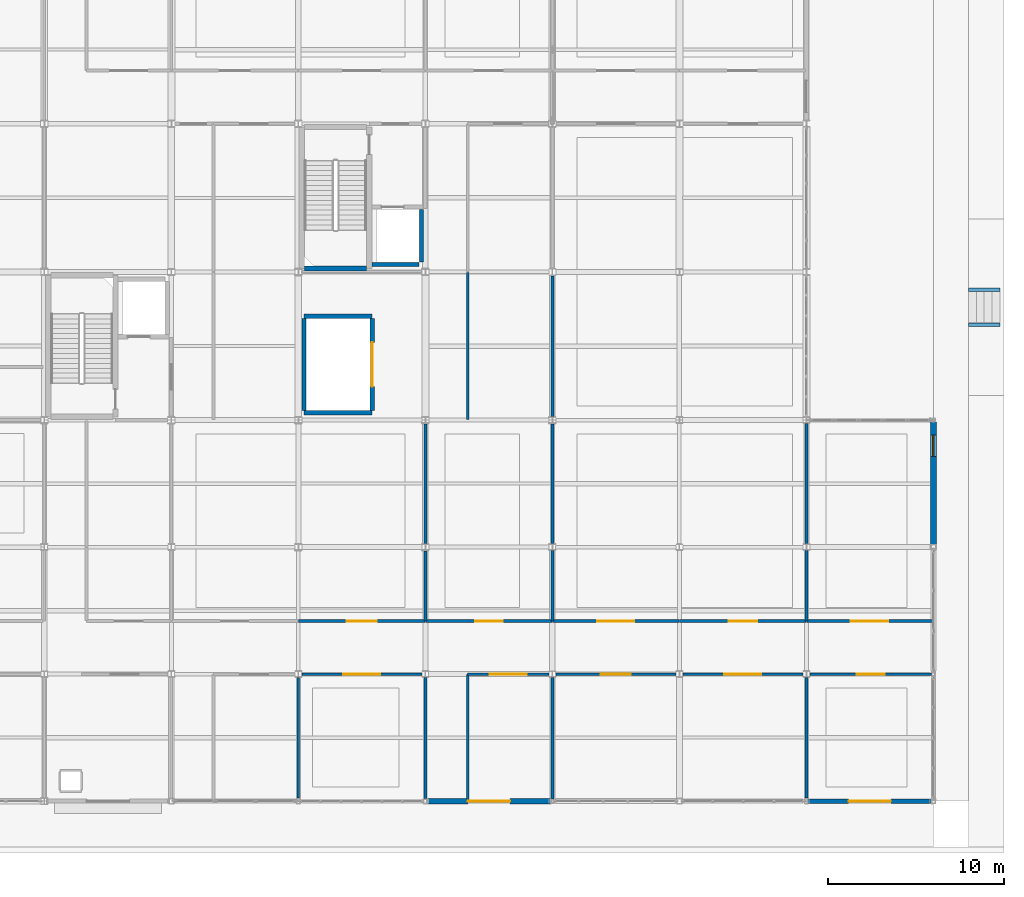
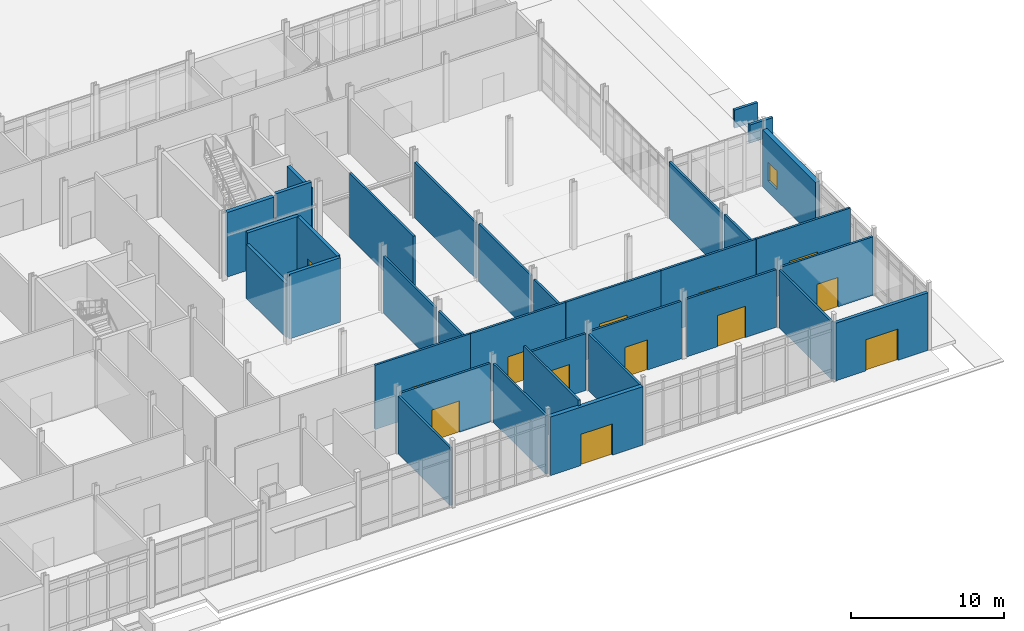
# One storey, part 199 of 229: 35 walls, 13 doors, 1 window, 14 openings.
"""IFC4 building model written with IfcOpenShell, lengths in metres."""

from ifc_helpers import new_model, si_unit, direction, frame, frame_2d, origin, place, context, subcontext, project, spatial, rectangle, extrude, material, layer, layer_set, type_object, element, fill, save


model = new_model("IFC4")

# Units and contexts
model_context = context("Model", 3, precision=1e-05, world=origin(), true_north=direction((0.0, 1.0)))
body_context = subcontext(model_context, "Body", "Model", "MODEL_VIEW")
ifc_project = project(units=[si_unit("LENGTHUNIT", "METRE"), si_unit("AREAUNIT", "SQUARE_METRE"), si_unit("VOLUMEUNIT", "CUBIC_METRE"), si_unit("PLANEANGLEUNIT", "RADIAN"), si_unit("MASSUNIT", "GRAM", prefix="KILO")], contexts=[model_context])

# Site, building, storey
site_placement = place(None, origin())
site = spatial("IfcSite", under=ifc_project, at=site_placement, CompositionType="ELEMENT")
building_placement = place(site_placement, origin())
building = spatial("IfcBuilding", under=site, at=building_placement, Name="Calvrana Isthmian Art Gallery", CompositionType="ELEMENT")
storey_placement = place(building_placement, origin())
storey = spatial("IfcBuildingStorey", under=building, at=storey_placement, Name="L00", CompositionType="ELEMENT", Elevation=0.0)

# Wall
ifc_material_1 = material(Name="Concrete C40/50", Category="concrete")
ifc_layer_1 = layer(ifc_material_1, 0.300048828125, Name="Concrete C40/50")
ifc_layer_set_1 = layer_set([ifc_layer_1], Name="Concrete C40/50")
wall_type_1 = type_object("IfcWallType", Name="CW-SHAFT-300", PredefinedType="SHEAR", material=ifc_layer_set_1)
wall_1_placement = place(storey_placement, frame((127.550048828125, 30.18994140625, 0.0), z_axis=(0.0, 0.0, 1.0), x_axis=(1.0, 0.0, 0.0)))
element("IfcWall", 1, at=wall_1_placement, inside=storey, type_object=wall_type_1, Name="Core C4 shear wall S L00", PredefinedType="SHEAR", context=body_context, shape_type="SweptSolid", body=[
    extrude(rectangle(XDim=3.52001953125, YDim=0.300048828125, at=frame_2d((1.760009765625, 0.0))), origin(), (0.0, 0.0, 1.0), 5.159912109375),
])

# Wall, opening, door
ifc_material_2 = material(Name="Pale Isthmian limestone", Category="masonry")
ifc_layer_2 = layer(ifc_material_2, 0.300048828125, Name="Pale Isthmian limestone")
ifc_layer_set_2 = layer_set([ifc_layer_2], Name="Pale Isthmian limestone")
wall_type_2 = type_object("IfcWallType", Name="EW-LIME-300", PredefinedType="SOLIDWALL", material=ifc_layer_set_2)
wall_2_placement = place(storey_placement, frame((141.498291015625, 0.0, 0.0), z_axis=(0.0, 0.0, 1.0), x_axis=(-1.0, 0.0, 0.0)))
wall_2 = element("IfcWall", 2, at=wall_2_placement, inside=storey, type_object=wall_type_2, Name="Exterior wall EW-004", PredefinedType="SOLIDWALL", context=body_context, shape_type="SweptSolid", body=[
    extrude(rectangle(XDim=6.97119140625, YDim=0.300048828125, at=frame_2d((3.485595703125, 0.0))), origin(), (0.0, 0.0, 1.0), 4.677978515625),
])
opening_1_placement = place(wall_2_placement, frame((2.28564453125, 0.0, 0.0)))
opening_1 = element("IfcOpeningElement", 3, at=opening_1_placement, cuts=wall_2, Name="Opening D-E04", PredefinedType="OPENING", context=body_context, shape_type="SweptSolid", body=[
    extrude(rectangle(XDim=2.39990234375, YDim=2.5, at=frame_2d((1.199951171875, 1.25))), frame((0.0, 0.16015625, 0.0), z_axis=(0.0, -1.0, 0.0), x_axis=(1.0, 0.0, 0.0)), (0.0, 0.0, 1.0), 0.320556640625),
])
ifc_material_3 = material(Name="Anodized bronze aluminium 6063-T6", Category="aluminium")
door_type_1 = type_object("IfcDoorType", Name="DR-EXT-MAIN-2400", OperationType="DOUBLE_DOOR_SINGLE_SWING", PredefinedType="DOOR", material=ifc_material_3)
door_1_placement = place(opening_1_placement, origin())
door_1 = element("IfcDoor", 4, at=door_1_placement, inside=storey, type_object=door_type_1, Name="Main entrance pedestrian exit D-E04", OperationType="DOUBLE_DOOR_SINGLE_SWING", OverallHeight=2.5, OverallWidth=2.39990234375, PredefinedType="DOOR", context=body_context, shape_type="SweptSolid", body=[
    extrude(rectangle(XDim=2.39990234375, YDim=2.5, at=frame_2d((1.199951171875, 1.25))), frame((0.0, 0.02490234375, 0.0), z_axis=(0.0, -1.0, 0.0), x_axis=(1.0, 0.0, 0.0)), (0.0, 0.0, 1.0), 0.050048828125),
])
fill(opening_1, door_1)

# Wall, opening, window
ifc_material_4 = material(Name="Precast concrete C40/50", Category="concrete")
ifc_layer_3 = layer(ifc_material_4, 0.35009765625, Name="Precast concrete C40/50")
ifc_layer_set_3 = layer_set([ifc_layer_3], Name="Precast concrete C40/50")
wall_type_3 = type_object("IfcWallType", Name="EW-PREC-350", PredefinedType="SOLIDWALL", material=ifc_layer_set_3)
wall_3_placement = place(storey_placement, frame((163.199951171875, 21.498291015625, 0.0), z_axis=(0.0, 0.0, 1.0), x_axis=(0.0, -1.0, 0.0)))
wall_3 = element("IfcWall", 5, at=wall_3_placement, inside=storey, type_object=wall_type_3, Name="Exterior wall EW-050", PredefinedType="SOLIDWALL", context=body_context, shape_type="SweptSolid", body=[
    extrude(rectangle(XDim=6.94580078125, YDim=0.35009765625, at=frame_2d((3.472900390625, 0.0))), origin(), (0.0, 0.0, 1.0), 4.532958984375),
])
opening_2_placement = place(wall_3_placement, frame((0.75, 0.0, 0.89990234375)))
opening_2 = element("IfcOpeningElement", 6, at=opening_2_placement, cuts=wall_3, Name="Opening W-019", PredefinedType="OPENING", context=body_context, shape_type="SweptSolid", body=[
    extrude(rectangle(XDim=1.199951171875, YDim=1.5, at=frame_2d((0.60009765625, 0.75))), frame((0.0, 0.185302734375, 0.0), z_axis=(0.0, -1.0, 0.0), x_axis=(1.0, 0.0, 0.0)), (0.0, 0.0, 1.0), 0.37060546875),
])
ifc_material_5 = material(Name="Low-E laminated solar glass", Category="glass")
window_type = type_object("IfcWindowType", Name="WN-G01", PartitioningType="SINGLE_PANEL", PredefinedType="WINDOW", material=ifc_material_5)
window_placement = place(opening_2_placement, origin())
window = element("IfcWindow", 7, at=window_placement, inside=storey, type_object=window_type, Name="Facade window W-019", OverallHeight=1.5, OverallWidth=1.199951171875, PartitioningType="SINGLE_PANEL", PredefinedType="WINDOW", context=body_context, shape_type="SweptSolid", body=[
    extrude(rectangle(XDim=1.199951171875, YDim=1.5, at=frame_2d((0.60009765625, 0.75))), frame((0.0, 0.030029296875, 0.0), z_axis=(0.0, -1.0, 0.0), x_axis=(1.0, 0.0, 0.0)), (0.0, 0.0, 1.0), 0.06005859375),
])
fill(opening_2, window)

# Wall, opening, door
ifc_material_6 = material(Name="Polychrome glazed terracotta", Category="masonry")
ifc_layer_4 = layer(ifc_material_6, 0.25, Name="Polychrome glazed terracotta")
ifc_layer_set_4 = layer_set([ifc_layer_4], Name="Polychrome glazed terracotta")
wall_type_4 = type_object("IfcWallType", Name="EW-TERRA-250", PredefinedType="SOLIDWALL", material=ifc_layer_set_4)
wall_4_placement = place(storey_placement, frame((163.072998046875, 0.0, 0.0), z_axis=(0.0, 0.0, 1.0), x_axis=(-1.0, 0.0, 0.0)))
wall_4 = element("IfcWall", 8, at=wall_4_placement, inside=storey, type_object=wall_type_4, Name="Exterior wall EW-005", PredefinedType="SOLIDWALL", context=body_context, shape_type="SweptSolid", body=[
    extrude(rectangle(XDim=6.971435546875, YDim=0.25, at=frame_2d((3.48583984375, 0.0))), origin(), (0.0, 0.0, 1.0), 4.60693359375),
])
opening_3_placement = place(wall_4_placement, frame((2.28564453125, 0.0, 0.0)))
opening_3 = element("IfcOpeningElement", 9, at=opening_3_placement, cuts=wall_4, Name="Opening D-E05", PredefinedType="OPENING", context=body_context, shape_type="SweptSolid", body=[
    extrude(rectangle(XDim=2.39990234375, YDim=2.5, at=frame_2d((1.199951171875, 1.25))), frame((0.0, 0.13525390625, 0.0), z_axis=(0.0, -1.0, 0.0), x_axis=(1.0, 0.0, 0.0)), (0.0, 0.0, 1.0), 0.2705078125),
])
door_2_placement = place(opening_3_placement, origin())
door_2 = element("IfcDoor", 10, at=door_2_placement, inside=storey, type_object=door_type_1, Name="Main entrance pedestrian exit D-E05", OperationType="DOUBLE_DOOR_SINGLE_SWING", OverallHeight=2.5, OverallWidth=2.39990234375, PredefinedType="DOOR", context=body_context, shape_type="SweptSolid", body=[
    extrude(rectangle(XDim=2.39990234375, YDim=2.5, at=frame_2d((1.199951171875, 1.25))), frame((0.0, 0.02490234375, 0.0), z_axis=(0.0, -1.0, 0.0), x_axis=(1.0, 0.0, 0.0)), (0.0, 0.0, 1.0), 0.050048828125),
])
fill(opening_3, door_2)

# Wall
ifc_material_7 = material(Name="Acoustic gypsum ceiling", Category="gypsum")
ifc_layer_5 = layer(ifc_material_7, 0.159912109375, Name="Acoustic gypsum ceiling")
ifc_layer_set_5 = layer_set([ifc_layer_5], Name="Acoustic gypsum ceiling")
wall_type_5 = type_object("IfcWallType", Name="PW-GAL-160", PredefinedType="PARTITIONING", material=ifc_layer_set_5)
wall_5_placement = place(storey_placement, frame((127.199951171875, 0.16748046875, 0.0), z_axis=(0.0, 0.0, 1.0), x_axis=(0.0, 1.0, 0.0)))
element("IfcWall", 11, at=wall_5_placement, inside=storey, type_object=wall_type_5, Name="Interior partition PW-183", PredefinedType="PARTITIONING", context=body_context, shape_type="SweptSolid", body=[
    extrude(rectangle(XDim=6.83349609375, YDim=0.159912109375, at=frame_2d((3.416748046875, 0.0))), origin(), (0.0, 0.0, 1.0), 4.60693359375),
])

# Wall, opening, door
wall_6_placement = place(storey_placement, frame((127.401611328125, 7.199951171875, 0.0), z_axis=(0.0, 0.0, 1.0), x_axis=(1.0, 0.0, 0.0)))
wall_6 = element("IfcWall", 12, at=wall_6_placement, inside=storey, type_object=wall_type_5, Name="Interior partition PW-184", PredefinedType="PARTITIONING", context=body_context, shape_type="SweptSolid", body=[
    extrude(rectangle(XDim=6.7978515625, YDim=0.159912109375, at=frame_2d((3.39892578125, 0.0))), origin(), (0.0, 0.0, 1.0), 4.677978515625),
])
opening_4_placement = place(wall_6_placement, frame((2.34912109375, 0.0, 0.0)))
opening_4 = element("IfcOpeningElement", 13, at=opening_4_placement, cuts=wall_6, Name="Opening D-287", PredefinedType="OPENING", context=body_context, shape_type="SweptSolid", body=[
    extrude(rectangle(XDim=2.10009765625, YDim=2.5, at=frame_2d((1.050048828125, 1.25))), frame((0.0, 0.09033203125, 0.0), z_axis=(0.0, -1.0, 0.0), x_axis=(1.0, 0.0, 0.0)), (0.0, 0.0, 1.0), 0.180419921875),
])
ifc_material_8 = material(Name="Timber gallery flooring", Category="wood")
door_type_2 = type_object("IfcDoorType", Name="DR-GAL-2100", OperationType="DOUBLE_DOOR_SINGLE_SWING", PredefinedType="DOOR", material=ifc_material_8)
door_3_placement = place(opening_4_placement, origin())
door_3 = element("IfcDoor", 14, at=door_3_placement, inside=storey, type_object=door_type_2, Name="Interior door D-287", OperationType="DOUBLE_DOOR_SINGLE_SWING", OverallHeight=2.5, OverallWidth=2.10009765625, PredefinedType="DOOR", context=body_context, shape_type="SweptSolid", body=[
    extrude(rectangle(XDim=2.10009765625, YDim=2.5, at=frame_2d((1.050048828125, 1.25))), frame((0.0, 0.02490234375, 0.0), z_axis=(0.0, -1.0, 0.0), x_axis=(1.0, 0.0, 0.0)), (0.0, 0.0, 1.0), 0.050048828125),
])
fill(opening_4, door_3)

# Walls
wall_7_placement = place(storey_placement, frame((134.39990234375, 0.14208984375, 0.0), z_axis=(0.0, 0.0, 1.0), x_axis=(0.0, 1.0, 0.0)))
element("IfcWall", 15, at=wall_7_placement, inside=storey, type_object=wall_type_5, Name="Interior partition PW-185", PredefinedType="PARTITIONING", context=body_context, shape_type="SweptSolid", body=[
    extrude(rectangle(XDim=6.861328125, YDim=0.159912109375, at=frame_2d((3.4306640625, 0.0))), origin(), (0.0, 0.0, 1.0), 4.677978515625),
])
wall_8_placement = place(storey_placement, frame((136.800048828125, 0.0400390625, 0.0), z_axis=(0.0, 0.0, 1.0), x_axis=(0.0, 1.0, 0.0)))
element("IfcWall", 16, at=wall_8_placement, inside=storey, type_object=wall_type_5, Name="Interior partition PW-186", PredefinedType="PARTITIONING", context=body_context, shape_type="SweptSolid", body=[
    extrude(rectangle(XDim=7.139892578125, YDim=0.159912109375, at=frame_2d((3.56982421875, 0.0))), origin(), (0.0, 0.0, 1.0), 5.139892578125),
])

# Wall, opening, door
wall_9_placement = place(storey_placement, frame((136.800048828125, 7.199951171875, 0.0), z_axis=(0.0, 0.0, 1.0), x_axis=(1.0, 0.0, 0.0)))
wall_9 = element("IfcWall", 17, at=wall_9_placement, inside=storey, type_object=wall_type_5, Name="Interior partition PW-187", PredefinedType="PARTITIONING", context=body_context, shape_type="SweptSolid", body=[
    extrude(rectangle(XDim=4.600830078125, YDim=0.159912109375, at=frame_2d((2.30029296875, 0.0))), origin(), (0.0, 0.0, 1.0), 4.532958984375),
])
opening_5_placement = place(wall_9_placement, frame((1.25048828125, 0.0, 0.0)))
opening_5 = element("IfcOpeningElement", 18, at=opening_5_placement, cuts=wall_9, Name="Opening D-288", PredefinedType="OPENING", context=body_context, shape_type="SweptSolid", body=[
    extrude(rectangle(XDim=2.10009765625, YDim=2.5, at=frame_2d((1.050048828125, 1.25))), frame((0.0, 0.09033203125, 0.0), z_axis=(0.0, -1.0, 0.0), x_axis=(1.0, 0.0, 0.0)), (0.0, 0.0, 1.0), 0.180419921875),
])
door_4_placement = place(opening_5_placement, origin())
door_4 = element("IfcDoor", 19, at=door_4_placement, inside=storey, type_object=door_type_2, Name="Interior door D-288", OperationType="DOUBLE_DOOR_SINGLE_SWING", OverallHeight=2.5, OverallWidth=2.10009765625, PredefinedType="DOOR", context=body_context, shape_type="SweptSolid", body=[
    extrude(rectangle(XDim=2.10009765625, YDim=2.5, at=frame_2d((1.050048828125, 1.25))), frame((0.0, 0.02490234375, 0.0), z_axis=(0.0, -1.0, 0.0), x_axis=(1.0, 0.0, 0.0)), (0.0, 0.0, 1.0), 0.050048828125),
])
fill(opening_5, door_4)

# Wall
wall_10_placement = place(storey_placement, frame((141.60009765625, 0.11669921875, 0.0), z_axis=(0.0, 0.0, 1.0), x_axis=(0.0, 1.0, 0.0)))
element("IfcWall", 20, at=wall_10_placement, inside=storey, type_object=wall_type_5, Name="Interior partition PW-188", PredefinedType="PARTITIONING", context=body_context, shape_type="SweptSolid", body=[
    extrude(rectangle(XDim=6.890380859375, YDim=0.159912109375, at=frame_2d((3.4453125, 0.0))), origin(), (0.0, 0.0, 1.0), 4.528076171875),
])

# Wall, opening, door
wall_11_placement = place(storey_placement, frame((141.799072265625, 7.199951171875, 0.0), z_axis=(0.0, 0.0, 1.0), x_axis=(1.0, 0.0, 0.0)))
wall_11 = element("IfcWall", 21, at=wall_11_placement, inside=storey, type_object=wall_type_5, Name="Interior partition PW-189", PredefinedType="PARTITIONING", context=body_context, shape_type="SweptSolid", body=[
    extrude(rectangle(XDim=6.79931640625, YDim=0.159912109375, at=frame_2d((3.399658203125, 0.0))), origin(), (0.0, 0.0, 1.0), 4.591064453125),
])
opening_6_placement = place(wall_11_placement, frame((2.5498046875, 0.0, 0.0)))
opening_6 = element("IfcOpeningElement", 22, at=opening_6_placement, cuts=wall_11, Name="Opening D-289", PredefinedType="OPENING", context=body_context, shape_type="SweptSolid", body=[
    extrude(rectangle(XDim=1.699951171875, YDim=2.39990234375, at=frame_2d((0.85009765625, 1.199951171875))), frame((0.0, 0.09033203125, 0.0), z_axis=(0.0, -1.0, 0.0), x_axis=(1.0, 0.0, 0.0)), (0.0, 0.0, 1.0), 0.180419921875),
])
door_type_3 = type_object("IfcDoorType", Name="DR-GAL-1700", OperationType="DOUBLE_DOOR_SINGLE_SWING", PredefinedType="DOOR", material=ifc_material_8)
door_5_placement = place(opening_6_placement, origin())
door_5 = element("IfcDoor", 23, at=door_5_placement, inside=storey, type_object=door_type_3, Name="Interior door D-289", OperationType="DOUBLE_DOOR_SINGLE_SWING", OverallHeight=2.39990234375, OverallWidth=1.699951171875, PredefinedType="DOOR", context=body_context, shape_type="SweptSolid", body=[
    extrude(rectangle(XDim=1.699951171875, YDim=2.39990234375, at=frame_2d((0.85009765625, 1.199951171875))), frame((0.0, 0.02490234375, 0.0), z_axis=(0.0, -1.0, 0.0), x_axis=(1.0, 0.0, 0.0)), (0.0, 0.0, 1.0), 0.050048828125),
])
fill(opening_6, door_5)

wall_12_placement = place(storey_placement, frame((149.00146484375, 7.199951171875, 0.0), z_axis=(0.0, 0.0, 1.0), x_axis=(1.0, 0.0, 0.0)))
wall_12 = element("IfcWall", 24, at=wall_12_placement, inside=storey, type_object=wall_type_5, Name="Interior partition PW-190", PredefinedType="PARTITIONING", context=body_context, shape_type="SweptSolid", body=[
    extrude(rectangle(XDim=6.797119140625, YDim=0.159912109375, at=frame_2d((3.3984375, 0.0))), origin(), (0.0, 0.0, 1.0), 4.60693359375),
])
opening_7_placement = place(wall_12_placement, frame((2.348388671875, 0.0, 0.0)))
opening_7 = element("IfcOpeningElement", 25, at=opening_7_placement, cuts=wall_12, Name="Opening D-290", PredefinedType="OPENING", context=body_context, shape_type="SweptSolid", body=[
    extrude(rectangle(XDim=2.10009765625, YDim=2.5, at=frame_2d((1.050048828125, 1.25))), frame((0.0, 0.09033203125, 0.0), z_axis=(0.0, -1.0, 0.0), x_axis=(1.0, 0.0, 0.0)), (0.0, 0.0, 1.0), 0.180419921875),
])
door_6_placement = place(opening_7_placement, origin())
door_6 = element("IfcDoor", 26, at=door_6_placement, inside=storey, type_object=door_type_2, Name="Interior door D-290", OperationType="DOUBLE_DOOR_SINGLE_SWING", OverallHeight=2.5, OverallWidth=2.10009765625, PredefinedType="DOOR", context=body_context, shape_type="SweptSolid", body=[
    extrude(rectangle(XDim=2.10009765625, YDim=2.5, at=frame_2d((1.050048828125, 1.25))), frame((0.0, 0.02490234375, 0.0), z_axis=(0.0, -1.0, 0.0), x_axis=(1.0, 0.0, 0.0)), (0.0, 0.0, 1.0), 0.050048828125),
])
fill(opening_7, door_6)

# Wall
wall_13_placement = place(storey_placement, frame((156.0, 0.16748046875, 0.0), z_axis=(0.0, 0.0, 1.0), x_axis=(0.0, 1.0, 0.0)))
element("IfcWall", 27, at=wall_13_placement, inside=storey, type_object=wall_type_5, Name="Interior partition PW-191", PredefinedType="PARTITIONING", context=body_context, shape_type="SweptSolid", body=[
    extrude(rectangle(XDim=6.83349609375, YDim=0.159912109375, at=frame_2d((3.416748046875, 0.0))), origin(), (0.0, 0.0, 1.0), 4.60693359375),
])

# Wall, opening, door
wall_14_placement = place(storey_placement, frame((156.201416015625, 7.199951171875, 0.0), z_axis=(0.0, 0.0, 1.0), x_axis=(1.0, 0.0, 0.0)))
wall_14 = element("IfcWall", 28, at=wall_14_placement, inside=storey, type_object=wall_type_5, Name="Interior partition PW-192", PredefinedType="PARTITIONING", context=body_context, shape_type="SweptSolid", body=[
    extrude(rectangle(XDim=6.882080078125, YDim=0.159912109375, at=frame_2d((3.44091796875, 0.0))), origin(), (0.0, 0.0, 1.0), 4.677978515625),
])
opening_8_placement = place(wall_14_placement, frame((2.64111328125, 0.0, 0.0)))
opening_8 = element("IfcOpeningElement", 29, at=opening_8_placement, cuts=wall_14, Name="Opening D-291", PredefinedType="OPENING", context=body_context, shape_type="SweptSolid", body=[
    extrude(rectangle(XDim=1.60009765625, YDim=2.35009765625, at=frame_2d((0.800048828125, 1.175048828125))), frame((0.0, 0.09033203125, 0.0), z_axis=(0.0, -1.0, 0.0), x_axis=(1.0, 0.0, 0.0)), (0.0, 0.0, 1.0), 0.180419921875),
])
door_type_4 = type_object("IfcDoorType", Name="DR-GAL-1600", OperationType="DOUBLE_DOOR_SINGLE_SWING", PredefinedType="DOOR", material=ifc_material_8)
door_7_placement = place(opening_8_placement, origin())
door_7 = element("IfcDoor", 30, at=door_7_placement, inside=storey, type_object=door_type_4, Name="Interior door D-291", OperationType="DOUBLE_DOOR_SINGLE_SWING", OverallHeight=2.35009765625, OverallWidth=1.60009765625, PredefinedType="DOOR", context=body_context, shape_type="SweptSolid", body=[
    extrude(rectangle(XDim=1.60009765625, YDim=2.35009765625, at=frame_2d((0.800048828125, 1.175048828125))), frame((0.0, 0.02490234375, 0.0), z_axis=(0.0, -1.0, 0.0), x_axis=(1.0, 0.0, 0.0)), (0.0, 0.0, 1.0), 0.050048828125),
])
fill(opening_8, door_7)

wall_15_placement = place(storey_placement, frame((127.2099609375, 10.2099609375, 0.0), z_axis=(0.0, 0.0, 1.0), x_axis=(1.0, 0.0, 0.0)))
wall_15 = element("IfcWall", 31, at=wall_15_placement, inside=storey, type_object=wall_type_5, Name="Interior partition PW-199", PredefinedType="PARTITIONING", context=body_context, shape_type="SweptSolid", body=[
    extrude(rectangle(XDim=7.179931640625, YDim=0.159912109375, at=frame_2d((3.58984375, 0.0))), origin(), (0.0, 0.0, 1.0), 5.139892578125),
])
opening_9_placement = place(wall_15_placement, frame((2.739990234375, 0.0, 0.0)))
opening_9 = element("IfcOpeningElement", 32, at=opening_9_placement, cuts=wall_15, Name="Opening D-294", PredefinedType="OPENING", context=body_context, shape_type="SweptSolid", body=[
    extrude(rectangle(XDim=1.699951171875, YDim=2.39990234375, at=frame_2d((0.85009765625, 1.199951171875))), frame((0.0, 0.09033203125, 0.0), z_axis=(0.0, -1.0, 0.0), x_axis=(1.0, 0.0, 0.0)), (0.0, 0.0, 1.0), 0.180419921875),
])
door_8_placement = place(opening_9_placement, origin())
door_8 = element("IfcDoor", 33, at=door_8_placement, inside=storey, type_object=door_type_3, Name="Interior door D-294", OperationType="DOUBLE_DOOR_SINGLE_SWING", OverallHeight=2.39990234375, OverallWidth=1.699951171875, PredefinedType="DOOR", context=body_context, shape_type="SweptSolid", body=[
    extrude(rectangle(XDim=1.699951171875, YDim=2.39990234375, at=frame_2d((0.85009765625, 1.199951171875))), frame((0.0, 0.02490234375, 0.0), z_axis=(0.0, -1.0, 0.0), x_axis=(1.0, 0.0, 0.0)), (0.0, 0.0, 1.0), 0.050048828125),
])
fill(opening_9, door_8)

# Walls
wall_16_placement = place(storey_placement, frame((134.39990234375, 10.219970703125, 0.0), z_axis=(0.0, 0.0, 1.0), x_axis=(0.0, 1.0, 0.0)))
element("IfcWall", 34, at=wall_16_placement, inside=storey, type_object=wall_type_5, Name="Interior partition PW-200", PredefinedType="PARTITIONING", context=body_context, shape_type="SweptSolid", body=[
    extrude(rectangle(XDim=3.974609375, YDim=0.159912109375, at=frame_2d((1.9873046875, 0.0))), origin(), (0.0, 0.0, 1.0), 4.528076171875),
])
wall_17_placement = place(storey_placement, frame((134.39990234375, 14.60546875, 0.0), z_axis=(0.0, 0.0, 1.0), x_axis=(0.0, 1.0, 0.0)))
element("IfcWall", 35, at=wall_17_placement, inside=storey, type_object=wall_type_5, Name="Interior partition PW-201", PredefinedType="PARTITIONING", context=body_context, shape_type="SweptSolid", body=[
    extrude(rectangle(XDim=6.78662109375, YDim=0.159912109375, at=frame_2d((3.393310546875, 0.0))), origin(), (0.0, 0.0, 1.0), 4.532958984375),
])

# Wall, opening, door
wall_18_placement = place(storey_placement, frame((134.409912109375, 10.2099609375, 0.0), z_axis=(0.0, 0.0, 1.0), x_axis=(1.0, 0.0, 0.0)))
wall_18 = element("IfcWall", 36, at=wall_18_placement, inside=storey, type_object=wall_type_5, Name="Interior partition PW-202", PredefinedType="PARTITIONING", context=body_context, shape_type="SweptSolid", body=[
    extrude(rectangle(XDim=7.18017578125, YDim=0.159912109375, at=frame_2d((3.590087890625, 0.0))), origin(), (0.0, 0.0, 1.0), 5.139892578125),
])
opening_10_placement = place(wall_18_placement, frame((2.81494140625, 0.0, 0.0)))
opening_10 = element("IfcOpeningElement", 37, at=opening_10_placement, cuts=wall_18, Name="Opening D-295", PredefinedType="OPENING", context=body_context, shape_type="SweptSolid", body=[
    extrude(rectangle(XDim=1.550048828125, YDim=2.300048828125, at=frame_2d((0.77490234375, 1.14990234375))), frame((0.0, 0.09033203125, 0.0), z_axis=(0.0, -1.0, 0.0), x_axis=(1.0, 0.0, 0.0)), (0.0, 0.0, 1.0), 0.180419921875),
])
door_type_5 = type_object("IfcDoorType", Name="DR-AUD-1550", OperationType="DOUBLE_DOOR_SINGLE_SWING", PredefinedType="DOOR", material=ifc_material_8)
door_9_placement = place(opening_10_placement, origin())
door_9 = element("IfcDoor", 38, at=door_9_placement, inside=storey, type_object=door_type_5, Name="Interior door D-295", OperationType="DOUBLE_DOOR_SINGLE_SWING", OverallHeight=2.300048828125, OverallWidth=1.550048828125, PredefinedType="DOOR", context=body_context, shape_type="SweptSolid", body=[
    extrude(rectangle(XDim=1.550048828125, YDim=2.300048828125, at=frame_2d((0.77490234375, 1.14990234375))), frame((0.0, 0.02490234375, 0.0), z_axis=(0.0, -1.0, 0.0), x_axis=(1.0, 0.0, 0.0)), (0.0, 0.0, 1.0), 0.050048828125),
])
fill(opening_10, door_9)

# Walls
wall_19_placement = place(storey_placement, frame((141.60009765625, 10.219970703125, 0.0), z_axis=(0.0, 0.0, 1.0), x_axis=(0.0, 1.0, 0.0)))
element("IfcWall", 39, at=wall_19_placement, inside=storey, type_object=wall_type_5, Name="Interior partition PW-203", PredefinedType="PARTITIONING", context=body_context, shape_type="SweptSolid", body=[
    extrude(rectangle(XDim=3.97705078125, YDim=0.159912109375, at=frame_2d((1.988525390625, 0.0))), origin(), (0.0, 0.0, 1.0), 4.532958984375),
])
wall_20_placement = place(storey_placement, frame((141.60009765625, 14.60302734375, 0.0), z_axis=(0.0, 0.0, 1.0), x_axis=(0.0, 1.0, 0.0)))
element("IfcWall", 40, at=wall_20_placement, inside=storey, type_object=wall_type_5, Name="Interior partition PW-204", PredefinedType="PARTITIONING", context=body_context, shape_type="SweptSolid", body=[
    extrude(rectangle(XDim=6.779052734375, YDim=0.159912109375, at=frame_2d((3.3896484375, 0.0))), origin(), (0.0, 0.0, 1.0), 4.60693359375),
])

# Wall, opening, door
wall_21_placement = place(storey_placement, frame((141.610107421875, 10.2099609375, 0.0), z_axis=(0.0, 0.0, 1.0), x_axis=(1.0, 0.0, 0.0)))
wall_21 = element("IfcWall", 41, at=wall_21_placement, inside=storey, type_object=wall_type_5, Name="Interior partition PW-205", PredefinedType="PARTITIONING", context=body_context, shape_type="SweptSolid", body=[
    extrude(rectangle(XDim=7.179931640625, YDim=0.159912109375, at=frame_2d((3.58984375, 0.0))), origin(), (0.0, 0.0, 1.0), 5.139892578125),
])
opening_11_placement = place(wall_21_placement, frame((2.5400390625, 0.0, 0.0)))
opening_11 = element("IfcOpeningElement", 42, at=opening_11_placement, cuts=wall_21, Name="Opening D-296", PredefinedType="OPENING", context=body_context, shape_type="SweptSolid", body=[
    extrude(rectangle(XDim=2.10009765625, YDim=2.5, at=frame_2d((1.050048828125, 1.25))), frame((0.0, 0.09033203125, 0.0), z_axis=(0.0, -1.0, 0.0), x_axis=(1.0, 0.0, 0.0)), (0.0, 0.0, 1.0), 0.180419921875),
])
door_10_placement = place(opening_11_placement, origin())
door_10 = element("IfcDoor", 43, at=door_10_placement, inside=storey, type_object=door_type_2, Name="Interior door D-296", OperationType="DOUBLE_DOOR_SINGLE_SWING", OverallHeight=2.5, OverallWidth=2.10009765625, PredefinedType="DOOR", context=body_context, shape_type="SweptSolid", body=[
    extrude(rectangle(XDim=2.10009765625, YDim=2.5, at=frame_2d((1.050048828125, 1.25))), frame((0.0, 0.02490234375, 0.0), z_axis=(0.0, -1.0, 0.0), x_axis=(1.0, 0.0, 0.0)), (0.0, 0.0, 1.0), 0.050048828125),
])
fill(opening_11, door_10)

wall_22_placement = place(storey_placement, frame((148.81005859375, 10.2099609375, 0.0), z_axis=(0.0, 0.0, 1.0), x_axis=(1.0, 0.0, 0.0)))
wall_22 = element("IfcWall", 44, at=wall_22_placement, inside=storey, type_object=wall_type_5, Name="Interior partition PW-206", PredefinedType="PARTITIONING", context=body_context, shape_type="SweptSolid", body=[
    extrude(rectangle(XDim=7.179931640625, YDim=0.159912109375, at=frame_2d((3.58984375, 0.0))), origin(), (0.0, 0.0, 1.0), 5.139892578125),
])
opening_12_placement = place(wall_22_placement, frame((2.7900390625, 0.0, 0.0)))
opening_12 = element("IfcOpeningElement", 45, at=opening_12_placement, cuts=wall_22, Name="Opening D-297", PredefinedType="OPENING", context=body_context, shape_type="SweptSolid", body=[
    extrude(rectangle(XDim=1.60009765625, YDim=2.35009765625, at=frame_2d((0.800048828125, 1.175048828125))), frame((0.0, 0.09033203125, 0.0), z_axis=(0.0, -1.0, 0.0), x_axis=(1.0, 0.0, 0.0)), (0.0, 0.0, 1.0), 0.180419921875),
])
door_11_placement = place(opening_12_placement, origin())
door_11 = element("IfcDoor", 46, at=door_11_placement, inside=storey, type_object=door_type_4, Name="Interior door D-297", OperationType="DOUBLE_DOOR_SINGLE_SWING", OverallHeight=2.35009765625, OverallWidth=1.60009765625, PredefinedType="DOOR", context=body_context, shape_type="SweptSolid", body=[
    extrude(rectangle(XDim=1.60009765625, YDim=2.35009765625, at=frame_2d((0.800048828125, 1.175048828125))), frame((0.0, 0.02490234375, 0.0), z_axis=(0.0, -1.0, 0.0), x_axis=(1.0, 0.0, 0.0)), (0.0, 0.0, 1.0), 0.050048828125),
])
fill(opening_12, door_11)

# Walls
wall_23_placement = place(storey_placement, frame((156.0, 10.219970703125, 0.0), z_axis=(0.0, 0.0, 1.0), x_axis=(0.0, 1.0, 0.0)))
element("IfcWall", 47, at=wall_23_placement, inside=storey, type_object=wall_type_5, Name="Interior partition PW-207", PredefinedType="PARTITIONING", context=body_context, shape_type="SweptSolid", body=[
    extrude(rectangle(XDim=3.978515625, YDim=0.159912109375, at=frame_2d((1.9892578125, 0.0))), origin(), (0.0, 0.0, 1.0), 4.677978515625),
])
wall_24_placement = place(storey_placement, frame((156.0, 14.6015625, 0.0), z_axis=(0.0, 0.0, 1.0), x_axis=(0.0, 1.0, 0.0)))
element("IfcWall", 48, at=wall_24_placement, inside=storey, type_object=wall_type_5, Name="Interior partition PW-208", PredefinedType="PARTITIONING", context=body_context, shape_type="SweptSolid", body=[
    extrude(rectangle(XDim=6.805419921875, YDim=0.159912109375, at=frame_2d((3.40283203125, 0.0))), origin(), (0.0, 0.0, 1.0), 4.528076171875),
])

# Wall, opening, door
wall_25_placement = place(storey_placement, frame((156.010009765625, 10.2099609375, 0.0), z_axis=(0.0, 0.0, 1.0), x_axis=(1.0, 0.0, 0.0)))
wall_25 = element("IfcWall", 49, at=wall_25_placement, inside=storey, type_object=wall_type_5, Name="Interior partition PW-209", PredefinedType="PARTITIONING", context=body_context, shape_type="SweptSolid", body=[
    extrude(rectangle(XDim=7.1298828125, YDim=0.159912109375, at=frame_2d((3.56494140625, 0.0))), origin(), (0.0, 0.0, 1.0), 5.139892578125),
])
opening_13_placement = place(wall_25_placement, frame((2.514892578125, 0.0, 0.0)))
opening_13 = element("IfcOpeningElement", 50, at=opening_13_placement, cuts=wall_25, Name="Opening D-298", PredefinedType="OPENING", context=body_context, shape_type="SweptSolid", body=[
    extrude(rectangle(XDim=2.10009765625, YDim=2.5, at=frame_2d((1.050048828125, 1.25))), frame((0.0, 0.09033203125, 0.0), z_axis=(0.0, -1.0, 0.0), x_axis=(1.0, 0.0, 0.0)), (0.0, 0.0, 1.0), 0.180419921875),
])
door_12_placement = place(opening_13_placement, origin())
door_12 = element("IfcDoor", 51, at=door_12_placement, inside=storey, type_object=door_type_2, Name="Interior door D-298", OperationType="DOUBLE_DOOR_SINGLE_SWING", OverallHeight=2.5, OverallWidth=2.10009765625, PredefinedType="DOOR", context=body_context, shape_type="SweptSolid", body=[
    extrude(rectangle(XDim=2.10009765625, YDim=2.5, at=frame_2d((1.050048828125, 1.25))), frame((0.0, 0.02490234375, 0.0), z_axis=(0.0, -1.0, 0.0), x_axis=(1.0, 0.0, 0.0)), (0.0, 0.0, 1.0), 0.050048828125),
])
fill(opening_13, door_12)

# Walls
wall_26_placement = place(storey_placement, frame((136.800048828125, 21.639892578125, 0.0), z_axis=(0.0, 0.0, 1.0), x_axis=(0.0, 1.0, 0.0)))
element("IfcWall", 52, at=wall_26_placement, inside=storey, type_object=wall_type_5, Name="Interior partition PW-213", PredefinedType="PARTITIONING", context=body_context, shape_type="SweptSolid", body=[
    extrude(rectangle(XDim=8.340087890625, YDim=0.159912109375, at=frame_2d((4.169921875, 0.0))), origin(), (0.0, 0.0, 1.0), 5.139892578125),
])
wall_27_placement = place(storey_placement, frame((141.60009765625, 21.818115234375, 0.0), z_axis=(0.0, 0.0, 1.0), x_axis=(0.0, 1.0, 0.0)))
element("IfcWall", 53, at=wall_27_placement, inside=storey, type_object=wall_type_5, Name="Interior partition PW-216", PredefinedType="PARTITIONING", context=body_context, shape_type="SweptSolid", body=[
    extrude(rectangle(XDim=7.95849609375, YDim=0.159912109375, at=frame_2d((3.979248046875, 0.0))), origin(), (0.0, 0.0, 1.0), 4.447021484375),
])
ifc_material_9 = material(Name="Concrete C35/45", Category="concrete")
ifc_layer_6 = layer(ifc_material_9, 0.25, Name="Concrete C35/45")
ifc_layer_set_6 = layer_set([ifc_layer_6], Name="Concrete C35/45")
wall_type_6 = type_object("IfcWallType", Name="PW-SHAFT-250", PredefinedType="PARTITIONING", material=ifc_layer_set_6)
wall_28_placement = place(storey_placement, frame((131.3701171875, 30.419921875, 0.0), z_axis=(0.0, 0.0, 1.0), x_axis=(1.0, 0.0, 0.0)))
element("IfcWall", 54, at=wall_28_placement, inside=storey, type_object=wall_type_6, Name="Lift EL-04 shaft wall S L00", PredefinedType="PARTITIONING", context=body_context, shape_type="SweptSolid", body=[
    extrude(rectangle(XDim=2.679931640625, YDim=0.25, at=frame_2d((1.33984375, 0.0))), origin(), (0.0, 0.0, 1.0), 5.159912109375),
])
wall_29_placement = place(storey_placement, frame((134.179931640625, 30.550048828125, 0.0), z_axis=(0.0, 0.0, 1.0), x_axis=(0.0, 1.0, 0.0)))
element("IfcWall", 55, at=wall_29_placement, inside=storey, type_object=wall_type_6, Name="Lift EL-04 shaft wall E L00", PredefinedType="PARTITIONING", context=body_context, shape_type="SweptSolid", body=[
    extrude(rectangle(XDim=3.0, YDim=0.25, at=frame_2d((1.5, 0.0))), origin(), (0.0, 0.0, 1.0), 4.447021484375),
])
wall_30_placement = place(storey_placement, frame((127.52001953125, 22.14990234375, 0.0), z_axis=(0.0, 0.0, 1.0), x_axis=(0.0, 1.0, 0.0)))
element("IfcWall", 56, at=wall_30_placement, inside=storey, type_object=wall_type_6, Name="Art goods lift L-G1 shaft W L00", PredefinedType="PARTITIONING", context=body_context, shape_type="SweptSolid", body=[
    extrude(rectangle(XDim=5.2001953125, YDim=0.25, at=frame_2d((2.60009765625, 0.0))), origin(), (0.0, 0.0, 1.0), 4.283935546875),
])
for number, where, z_axis, x_axis, name in (
    (57, (127.52001953125, 27.47998046875, 0.0), (0.0, 0.0, 1.0), (1.0, 0.0, 0.0), "Art goods lift L-G1 shaft N L00"),
    (58, (127.52001953125, 22.02001953125, 0.0), (0.0, 0.0, 1.0), (1.0, 0.0, 0.0), "Art goods lift L-G1 shaft S L00"),
):
    element("IfcWall", number, at=place(storey_placement, frame(where, z_axis=z_axis, x_axis=x_axis)), inside=storey, type_object=wall_type_6, Name=name, PredefinedType="PARTITIONING", context=body_context, shape_type="SweptSolid", body=[
        extrude(rectangle(XDim=3.85986328125, YDim=0.25, at=frame_2d((1.929931640625, 0.0))), origin(), (0.0, 0.0, 1.0), 5.159912109375),
    ])

# Wall, opening, door
wall_31_placement = place(storey_placement, frame((131.3798828125, 22.14990234375, 0.0), z_axis=(0.0, 0.0, 1.0), x_axis=(0.0, 1.0, 0.0)))
wall_31 = element("IfcWall", 59, at=wall_31_placement, inside=storey, type_object=wall_type_6, Name="Art goods lift L-G1 shaft E L00", PredefinedType="PARTITIONING", context=body_context, shape_type="SweptSolid", body=[
    extrude(rectangle(XDim=5.2001953125, YDim=0.25, at=frame_2d((2.60009765625, 0.0))), origin(), (0.0, 0.0, 1.0), 5.159912109375),
])
opening_14_placement = place(wall_31_placement, frame((1.35009765625, 0.0, 0.0)))
opening_14 = element("IfcOpeningElement", 60, at=opening_14_placement, cuts=wall_31, Name="Opening LD-G1-L00", PredefinedType="OPENING", context=body_context, shape_type="SweptSolid", body=[
    extrude(rectangle(XDim=2.5, YDim=2.60009765625, at=frame_2d((1.25, 1.300048828125))), frame((0.0, 0.13525390625, 0.0), z_axis=(0.0, -1.0, 0.0), x_axis=(1.0, 0.0, 0.0)), (0.0, 0.0, 1.0), 0.2705078125),
])
ifc_material_10 = material(Name="Stainless steel 316", Category="steel")
door_type_6 = type_object("IfcDoorType", Name="DR-GLIFT-2500", OperationType="DOUBLE_DOOR_SLIDING", PredefinedType="DOOR", material=ifc_material_10)
door_13_placement = place(opening_14_placement, origin())
door_13 = element("IfcDoor", 61, at=door_13_placement, inside=storey, type_object=door_type_6, Name="Art Goods Lift L-G1 sliding door L00", OperationType="DOUBLE_DOOR_SLIDING", OverallHeight=2.60009765625, OverallWidth=2.5, PredefinedType="DOOR", context=body_context, shape_type="SweptSolid", body=[
    extrude(rectangle(XDim=2.5, YDim=2.60009765625, at=frame_2d((1.25, 1.300048828125))), frame((0.0, 0.02490234375, 0.0), z_axis=(0.0, -1.0, 0.0), x_axis=(1.0, 0.0, 0.0)), (0.0, 0.0, 1.0), 0.050048828125),
])
fill(opening_14, door_13)

# Walls
ifc_layer_7 = layer(ifc_material_2, 0.199951171875, Name="Pale Isthmian limestone")
ifc_layer_set_7 = layer_set([ifc_layer_7], Name="Pale Isthmian limestone")
wall_type_7 = type_object("IfcWallType", Name="WL-PARA-200", PredefinedType="PARAPET", material=ifc_layer_set_7)
for number, where, z_axis, x_axis, name in (
    (62, (166.9599609375, 27.010009765625, -0.60009765625), (0.0, 0.0, 1.0), (-1.0, 0.0, 0.0), "Exterior terrace plinth cheek parapet L"),
    (63, (166.9599609375, 28.989990234375, -0.60009765625), (0.0, 0.0, 1.0), (-1.0, 0.0, 0.0), "Exterior terrace plinth cheek parapet R"),
):
    element("IfcWall", number, at=place(storey_placement, frame(where, z_axis=z_axis, x_axis=x_axis)), inside=storey, type_object=wall_type_7, Name=name, PredefinedType="PARAPET", context=body_context, shape_type="SweptSolid", body=[
        extrude(rectangle(XDim=1.760009765625, YDim=0.199951171875, at=frame_2d((0.8798828125, 0.0))), origin(), (0.0, 0.0, 1.0), 1.4501953125),
    ])

save(model, "model.ifc")
